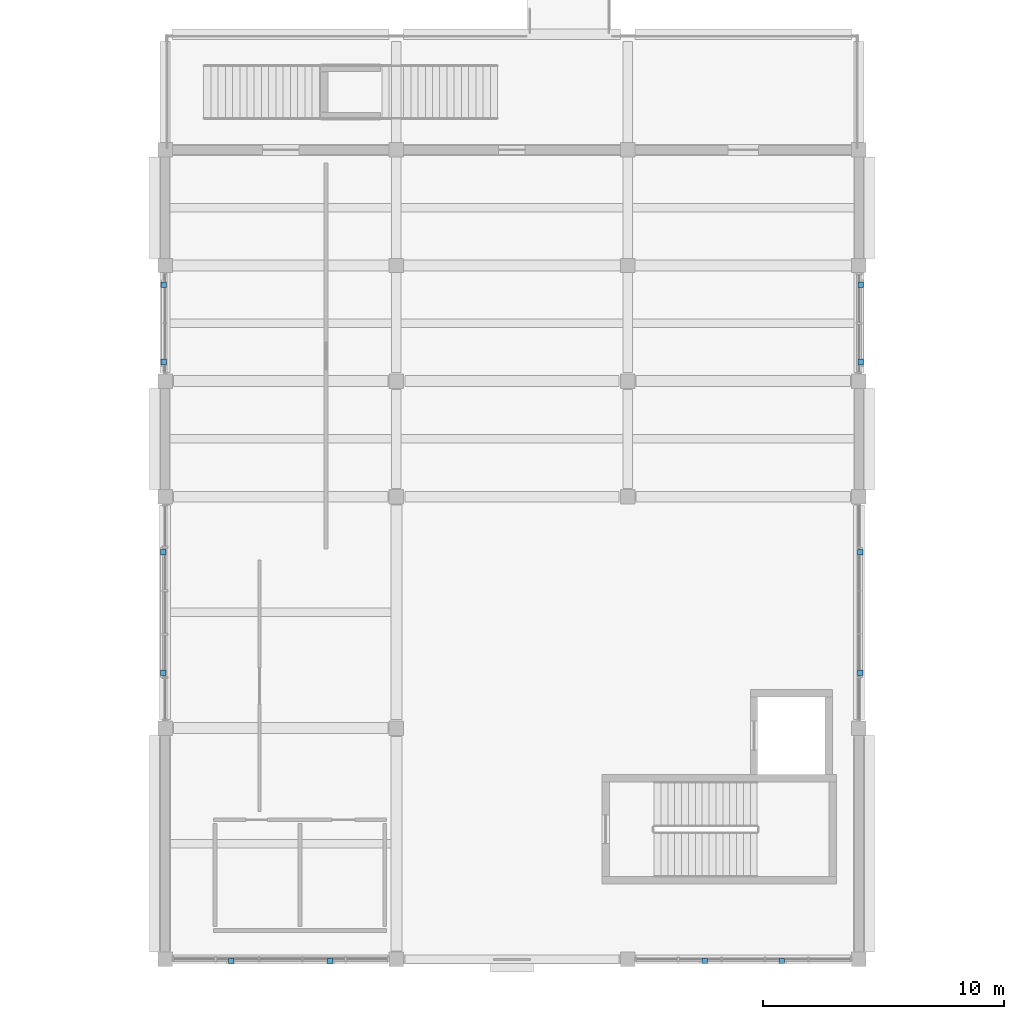
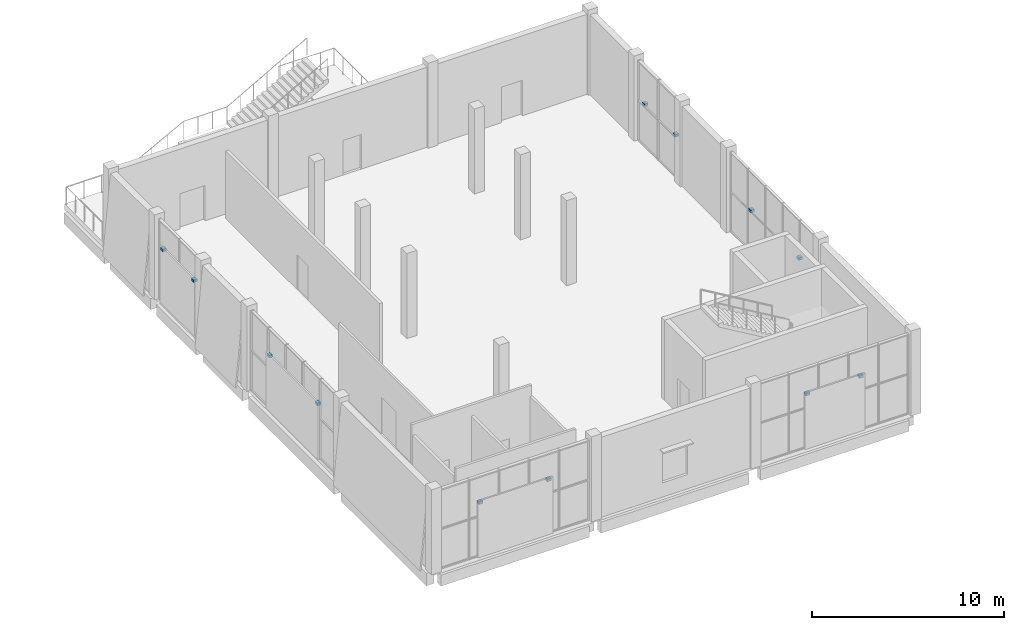
# One storey, part 64 of 83: 12 discrete accessories.
"""IFC4 building model written with IfcOpenShell, lengths in metres."""

from ifc_helpers import new_model, si_unit, direction, frame, origin, origin_2d, place, context, subcontext, project, spatial, rectangle, extrude, material, type_object, element, save


model = new_model("IFC4")

# Units and contexts
model_context = context("Model", 3, precision=1e-05, world=origin(), true_north=direction((0.0, 1.0)))
body_context = subcontext(model_context, "Body", "Model", "MODEL_VIEW")
ifc_project = project(units=[si_unit("LENGTHUNIT", "METRE"), si_unit("AREAUNIT", "SQUARE_METRE"), si_unit("VOLUMEUNIT", "CUBIC_METRE"), si_unit("PLANEANGLEUNIT", "RADIAN"), si_unit("MASSUNIT", "GRAM", prefix="KILO")], contexts=[model_context])

# Site, building, storey
site_placement = place(None, origin())
site = spatial("IfcSite", under=ifc_project, at=site_placement, CompositionType="ELEMENT")
building_placement = place(site_placement, origin())
building = spatial("IfcBuilding", under=site, at=building_placement, Name="Shalvenor Court Art Gallery", CompositionType="ELEMENT")
storey_placement = place(building_placement, frame((0.0, 0.0, 6.0)))
storey = spatial("IfcBuildingStorey", under=building, at=storey_placement, Name="L01", CompositionType="ELEMENT", Elevation=6.0)

# Discrete accessories
ifc_material = material(Name="Stainless steel anchor bracket", Category="steel")
discrete_accessory_type = type_object("IfcDiscreteAccessoryType", Name="BRK-01", PredefinedType="BRACKET", material=ifc_material)
for number, where, z_axis, x_axis, name in (
    (1, (124.87646484375, 28.0, 2.47021484375), (0.0, 0.0, 1.0), (0.0, -1.0, 0.0), "L01 Lattice Anchor Bracket 165"),
    (2, (124.87646484375, 24.800048828125, 2.47021484375), (0.0, 0.0, 1.0), (0.0, -1.0, 0.0), "L01 Lattice Anchor Bracket 166"),
    (3, (124.855224609375, 16.89990234375, 2.47021484375), (0.0, 0.0, 1.0), (0.0, -1.0, 0.0), "L01 Lattice Anchor Bracket 167"),
    (4, (124.855224609375, 11.89990234375, 2.47021484375), (0.0, 0.0, 1.0), (0.0, -1.0, 0.0), "L01 Lattice Anchor Bracket 168"),
    (5, (121.60009765625, -0.06640625, 3.3701171875), (0.0, 0.0, 1.0), (-1.0, 0.0, 0.0), "L01 Lattice Anchor Bracket 169"),
    (6, (118.39990234375, -0.06640625, 3.3701171875), (0.0, 0.0, 1.0), (-1.0, 0.0, 0.0), "L01 Lattice Anchor Bracket 170"),
    (7, (102.85009765625, -0.071533203125, 3.3701171875), (0.0, 0.0, 1.0), (-1.0, 0.0, 0.0), "L01 Lattice Anchor Bracket 171"),
    (8, (98.75, -0.071533203125, 3.3701171875), (0.0, 0.0, 1.0), (-1.0, 0.0, 0.0), "L01 Lattice Anchor Bracket 172"),
    (9, (95.923583984375, 11.89990234375, 3.3701171875), (0.0, 0.0, 1.0), (0.0, 1.0, 0.0), "L01 Lattice Anchor Bracket 173"),
    (10, (95.923583984375, 16.89990234375, 3.3701171875), (0.0, 0.0, 1.0), (0.0, 1.0, 0.0), "L01 Lattice Anchor Bracket 174"),
    (11, (95.943603515625, 24.800048828125, 3.3701171875), (0.0, 0.0, 1.0), (0.0, 1.0, 0.0), "L01 Lattice Anchor Bracket 175"),
    (12, (95.943603515625, 28.0, 3.3701171875), (0.0, 0.0, 1.0), (0.0, 1.0, 0.0), "L01 Lattice Anchor Bracket 176"),
):
    element("IfcDiscreteAccessory", number, at=place(storey_placement, frame(where, z_axis=z_axis, x_axis=x_axis)), inside=storey, type_object=discrete_accessory_type, Name=name, PredefinedType="BRACKET", context=body_context, shape_type="SweptSolid", body=[
        extrude(rectangle(XDim=0.239990234375, YDim=0.219970703125, at=origin_2d()), origin(), (0.0, 0.0, 1.0), 0.159912109375),
    ])

save(model, "model.ifc")
